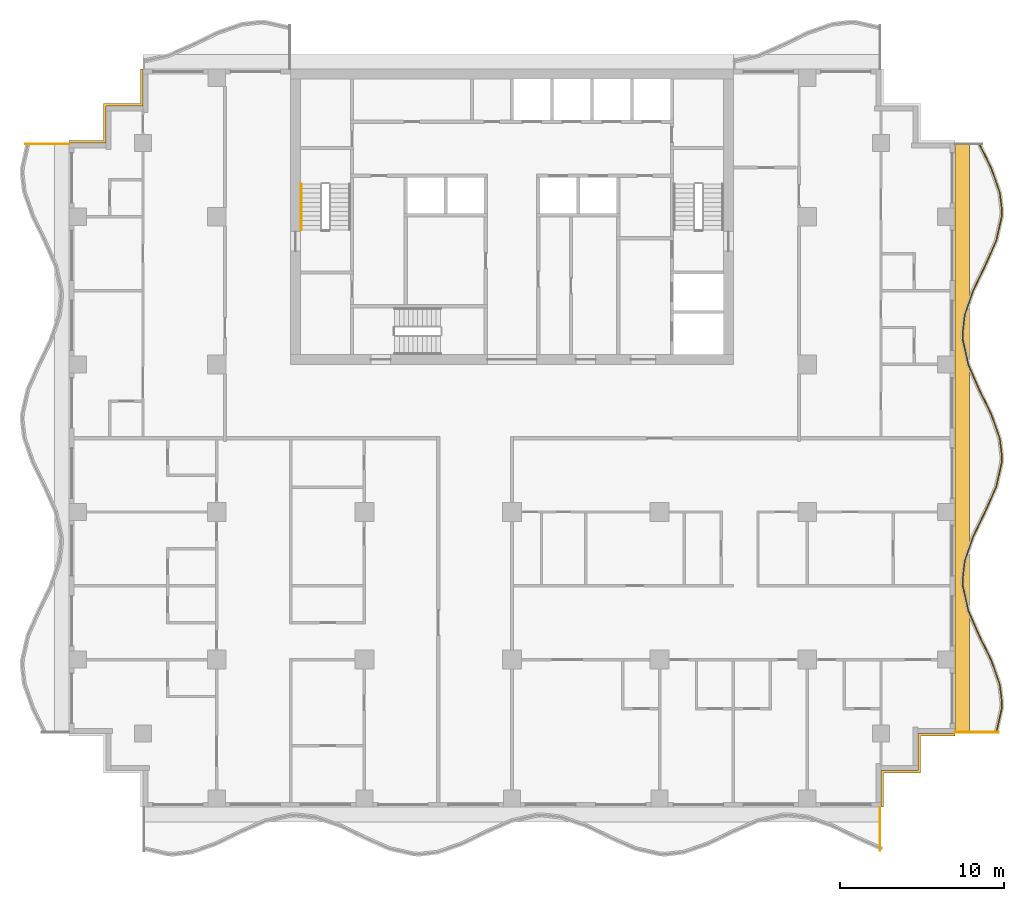
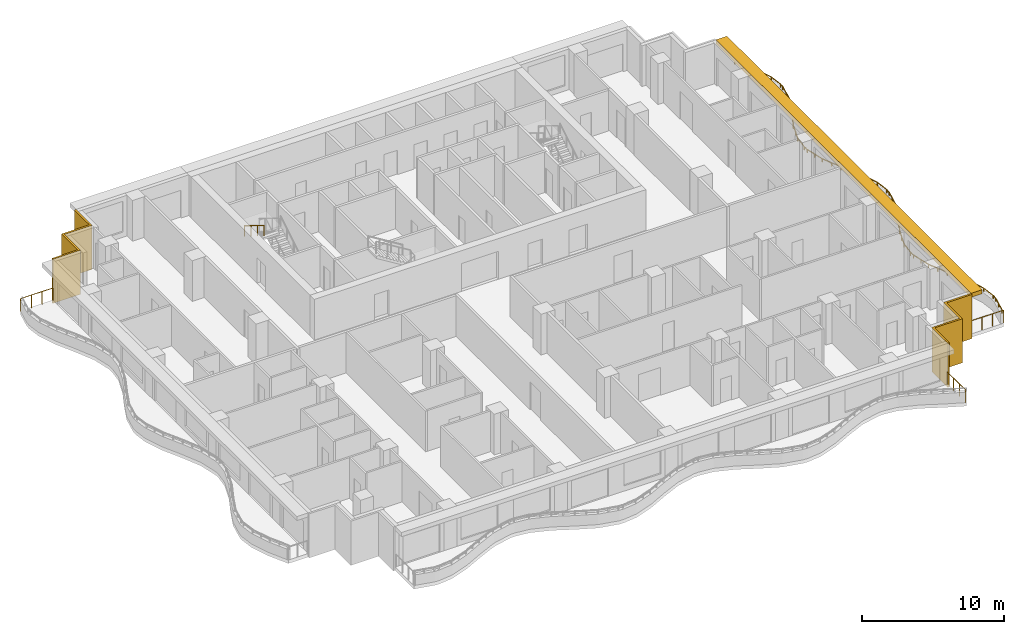
# One storey, part 10 of 11: 5 railings, 3 shading devices.
"""IFC4 building model written with IfcOpenShell, lengths in metres."""

from ifc_helpers import new_model, si_unit, direction, frame, origin, origin_2d, place, context, subcontext, project, spatial, polyline, rectangle, circle, outline, extrude, material, layer, layer_set, type_object, element, save


model = new_model("IFC4")

# Units and contexts
model_context = context("Model", 3, precision=1e-05, world=origin(), true_north=direction((0.0, 1.0)))
body_context = subcontext(model_context, "Body", "Model", "MODEL_VIEW")
ifc_project = project(units=[si_unit("LENGTHUNIT", "METRE"), si_unit("AREAUNIT", "SQUARE_METRE"), si_unit("VOLUMEUNIT", "CUBIC_METRE"), si_unit("PLANEANGLEUNIT", "RADIAN"), si_unit("MASSUNIT", "GRAM", prefix="KILO")], contexts=[model_context])

# Site, building, storey
site_placement = place(None, origin())
site = spatial("IfcSite", under=ifc_project, at=site_placement, CompositionType="ELEMENT")
building_placement = place(site_placement, origin())
building = spatial("IfcBuilding", under=site, at=building_placement, Name="Orbiselva Terraces", CompositionType="ELEMENT")
storey_placement = place(building_placement, frame((0.0, 0.0, 184.4)))
storey = spatial("IfcBuildingStorey", under=building, at=storey_placement, Name="L46", CompositionType="ELEMENT", Elevation=184.4)

# Railings
ifc_material_1 = material(Name="Stainless steel", Category="steel")
railing_type_1 = type_object("IfcRailingType", Name="CORE-HANDRAIL-900", PredefinedType="HANDRAIL", material=ifc_material_1)
railing_1_placement = place(storey_placement, frame((-12.85, 15.5, 2.072727)))
element("IfcRailing", 1, at=railing_1_placement, inside=storey, type_object=railing_type_1, Name="L46 S1 stair handrail 2", PredefinedType="HANDRAIL", context=body_context, shape_type="SweptSolid", body=[
    extrude(circle(Radius=0.024, at=origin_2d()), frame((0.0, 0.0, 0.876), z_axis=(0.0, -0.851088519012, 0.52502222125), x_axis=(1.0, 0.0, 0.0)), (0.0, 0.0, 1.0), 3.289905),
    extrude(circle(Radius=0.021, at=origin_2d()), origin(), (0.0, 0.0, 1.0), 0.852),
    extrude(circle(Radius=0.021, at=origin_2d()), frame((0.0, -0.933333, 0.575758)), (0.0, 0.0, 1.0), 0.852),
    extrude(circle(Radius=0.021, at=origin_2d()), frame((0.0, -1.866667, 1.151515)), (0.0, 0.0, 1.0), 0.852),
    extrude(circle(Radius=0.021, at=origin_2d()), frame((0.0, -2.8, 1.727273)), (0.0, 0.0, 1.0), 0.852),
])
ifc_material_2 = material(Name="Bonded two-ply safety glass balustrade, stainless steel posts", Category="steel")
railing_type_2 = type_object("IfcRailingType", Name="ENV-BALUSTRADE-1200", PredefinedType="BALUSTRADE", material=ifc_material_2)
railing_2_placement = place(storey_placement, frame((29.526563, -17.972623, 0.9)))
element("IfcRailing", 2, at=railing_2_placement, inside=storey, type_object=railing_type_2, Name="Balcony balustrade L46 E", PredefinedType="BALUSTRADE", context=body_context, shape_type="SweptSolid", body=[
    extrude(outline(polyline([(0.028868, 0.0), (0.014434, 0.025), (-0.014434, 0.025), (-0.028868, 0.0), (-0.014434, -0.025), (0.014434, -0.025), (0.028868, 0.0)])), frame((0.0, 0.0, 0.275), z_axis=(0.21901575501, 0.975721322437, 0.0), x_axis=(-0.975721322437, 0.21901575501, 0.0)), (0.0, 0.0, 1.0), 1.525954),
    extrude(outline(polyline([(0.028868, 0.0), (0.014434, 0.025), (-0.014434, 0.025), (-0.028868, 0.0), (-0.014434, -0.025), (0.014434, -0.025), (0.028868, 0.0)])), frame((0.334208, 1.488906, 0.275), z_axis=(0.039364150694, 0.999224931454, 0.0), x_axis=(-0.999224931454, 0.039364150694, 0.0)), (0.0, 0.0, 1.0), 0.354206),
    extrude(outline(polyline([(0.028868, 0.0), (0.014434, 0.025), (-0.014434, 0.025), (-0.028868, 0.0), (-0.014434, -0.025), (0.014434, -0.025), (0.028868, 0.0)])), frame((0.348151, 1.842837, 0.275), z_axis=(-0.115481264762, 0.993309658409, 0.0), x_axis=(-0.993309658409, -0.115481264762, 0.0)), (0.0, 0.0, 1.0), 1.10902),
    extrude(outline(polyline([(0.028868, 0.0), (0.014434, 0.025), (-0.014434, 0.025), (-0.028868, 0.0), (-0.014434, -0.025), (0.014434, -0.025), (0.028868, 0.0)])), frame((0.22008, 2.944437, 0.275), z_axis=(-0.330024754707, 0.943972277814, 0.0), x_axis=(-0.943972277814, -0.330024754707, 0.0)), (0.0, 0.0, 1.0), 1.567807),
    extrude(outline(polyline([(0.028868, 0.0), (0.014434, 0.025), (-0.014434, 0.025), (-0.028868, 0.0), (-0.014434, -0.025), (0.014434, -0.025), (0.028868, 0.0)])), frame((-0.297335, 4.424403, 0.275), z_axis=(-0.438811978768, 0.89857890432, 0.0), x_axis=(-0.89857890432, -0.438811978768, 0.0)), (0.0, 0.0, 1.0), 1.66438),
    extrude(outline(polyline([(0.028868, 0.0), (0.014434, 0.025), (-0.014434, 0.025), (-0.028868, 0.0), (-0.014434, -0.025), (0.014434, -0.025), (0.028868, 0.0)])), frame((-1.027685, 5.91998, 0.275), z_axis=(-0.403150874148, 0.915133527237, 0.0), x_axis=(-0.915133527237, -0.403150874148, 0.0)), (0.0, 0.0, 1.0), 1.653736),
    extrude(outline(polyline([(0.028868, 0.0), (0.014434, 0.025), (-0.014434, 0.025), (-0.028868, 0.0), (-0.014434, -0.025), (0.014434, -0.025), (0.028868, 0.0)])), frame((-1.69439, 7.433369, 0.275), z_axis=(-0.219015500924, 0.97572137947, 0.0), x_axis=(-0.97572137947, -0.219015500924, 0.0)), (0.0, 0.0, 1.0), 1.560867),
    extrude(outline(polyline([(0.028868, 0.0), (0.014434, 0.025), (-0.014434, 0.025), (-0.028868, 0.0), (-0.014434, -0.025), (0.014434, -0.025), (0.028868, 0.0)])), frame((-2.036244, 8.95634, 0.275), z_axis=(-0.03936915532, 0.999224734286, 0.0), x_axis=(-0.999224734286, -0.03936915532, 0.0)), (0.0, 0.0, 1.0), 0.396376),
    extrude(outline(polyline([(0.028868, 0.0), (0.014434, 0.025), (-0.014434, 0.025), (-0.028868, 0.0), (-0.014434, -0.025), (0.014434, -0.025), (0.028868, 0.0)])), frame((-2.051849, 9.352409, 0.275), z_axis=(0.115482182324, 0.993309551734, 0.0), x_axis=(-0.993309551734, 0.115482182324, 0.0)), (0.0, 0.0, 1.0), 1.156135),
    extrude(outline(polyline([(0.028868, 0.0), (0.014434, 0.025), (-0.014434, 0.025), (-0.028868, 0.0), (-0.014434, -0.025), (0.014434, -0.025), (0.028868, 0.0)])), frame((-1.918336, 10.500809, 0.275), z_axis=(0.330024597479, 0.943972332783, 0.0), x_axis=(-0.943972332783, 0.330024597479, 0.0)), (0.0, 0.0, 1.0), 1.610253),
    extrude(outline(polyline([(0.028868, 0.0), (0.014434, 0.025), (-0.014434, 0.025), (-0.028868, 0.0), (-0.014434, -0.025), (0.014434, -0.025), (0.028868, 0.0)])), frame((-1.386913, 12.020843, 0.275), z_axis=(0.438812048596, 0.898578870221, 0.0), x_axis=(-0.898578870221, 0.438812048596, 0.0)), (0.0, 0.0, 1.0), 1.674225),
    extrude(outline(polyline([(0.028868, 0.0), (0.014434, 0.025), (-0.014434, 0.025), (-0.028868, 0.0), (-0.014434, -0.025), (0.014434, -0.025), (0.028868, 0.0)])), frame((-0.652243, 13.525266, 0.275), z_axis=(0.403151245402, 0.915133363686, 0.0), x_axis=(-0.915133363686, 0.403151245402, 0.0)), (0.0, 0.0, 1.0), 1.624475),
    extrude(outline(polyline([(0.028868, 0.0), (0.014434, 0.025), (-0.014434, 0.025), (-0.028868, 0.0), (-0.014434, -0.025), (0.014434, -0.025), (0.028868, 0.0)])), frame((0.002666, 15.011877, 0.275), z_axis=(0.219015740235, 0.975721325753, 0.0), x_axis=(-0.975721325753, 0.219015740235, 0.0)), (0.0, 0.0, 1.0), 1.513782),
    extrude(outline(polyline([(0.028868, 0.0), (0.014434, 0.025), (-0.014434, 0.025), (-0.028868, 0.0), (-0.014434, -0.025), (0.014434, -0.025), (0.028868, 0.0)])), frame((0.334208, 16.488906, 0.275), z_axis=(0.039364150694, 0.999224931454, 0.0), x_axis=(-0.999224931454, 0.039364150694, 0.0)), (0.0, 0.0, 1.0), 0.354206),
    extrude(outline(polyline([(0.028868, 0.0), (0.014434, 0.025), (-0.014434, 0.025), (-0.028868, 0.0), (-0.014434, -0.025), (0.014434, -0.025), (0.028868, 0.0)])), frame((0.348151, 16.842837, 0.275), z_axis=(-0.115481264762, 0.993309658409, 0.0), x_axis=(-0.993309658409, -0.115481264762, 0.0)), (0.0, 0.0, 1.0), 1.10902),
    extrude(outline(polyline([(0.028868, 0.0), (0.014434, 0.025), (-0.014434, 0.025), (-0.028868, 0.0), (-0.014434, -0.025), (0.014434, -0.025), (0.028868, 0.0)])), frame((0.22008, 17.944437, 0.275), z_axis=(-0.330024754707, 0.943972277814, 0.0), x_axis=(-0.943972277814, -0.330024754707, 0.0)), (0.0, 0.0, 1.0), 1.567807),
    extrude(outline(polyline([(0.028868, 0.0), (0.014434, 0.025), (-0.014434, 0.025), (-0.028868, 0.0), (-0.014434, -0.025), (0.014434, -0.025), (0.028868, 0.0)])), frame((-0.297335, 19.424403, 0.275), z_axis=(-0.438811978768, 0.89857890432, 0.0), x_axis=(-0.89857890432, -0.438811978768, 0.0)), (0.0, 0.0, 1.0), 1.66438),
    extrude(outline(polyline([(0.028868, 0.0), (0.014434, 0.025), (-0.014434, 0.025), (-0.028868, 0.0), (-0.014434, -0.025), (0.014434, -0.025), (0.028868, 0.0)])), frame((-1.027685, 20.91998, 0.275), z_axis=(-0.403150874148, 0.915133527237, 0.0), x_axis=(-0.915133527237, -0.403150874148, 0.0)), (0.0, 0.0, 1.0), 1.653736),
    extrude(outline(polyline([(0.028868, 0.0), (0.014434, 0.025), (-0.014434, 0.025), (-0.028868, 0.0), (-0.014434, -0.025), (0.014434, -0.025), (0.028868, 0.0)])), frame((-1.69439, 22.433369, 0.275), z_axis=(-0.219015500924, 0.97572137947, 0.0), x_axis=(-0.97572137947, -0.219015500924, 0.0)), (0.0, 0.0, 1.0), 1.560867),
    extrude(outline(polyline([(0.028868, 0.0), (0.014434, 0.025), (-0.014434, 0.025), (-0.028868, 0.0), (-0.014434, -0.025), (0.014434, -0.025), (0.028868, 0.0)])), frame((-2.036244, 23.95634, 0.275), z_axis=(-0.03936915532, 0.999224734286, 0.0), x_axis=(-0.999224734286, -0.03936915532, 0.0)), (0.0, 0.0, 1.0), 0.396376),
    extrude(outline(polyline([(0.028868, 0.0), (0.014434, 0.025), (-0.014434, 0.025), (-0.028868, 0.0), (-0.014434, -0.025), (0.014434, -0.025), (0.028868, 0.0)])), frame((-2.051849, 24.352409, 0.275), z_axis=(0.115482182324, 0.993309551734, 0.0), x_axis=(-0.993309551734, 0.115482182324, 0.0)), (0.0, 0.0, 1.0), 1.156135),
    extrude(outline(polyline([(0.028868, 0.0), (0.014434, 0.025), (-0.014434, 0.025), (-0.028868, 0.0), (-0.014434, -0.025), (0.014434, -0.025), (0.028868, 0.0)])), frame((-1.918336, 25.500809, 0.275), z_axis=(0.330024597479, 0.943972332783, 0.0), x_axis=(-0.943972332783, 0.330024597479, 0.0)), (0.0, 0.0, 1.0), 1.610253),
    extrude(outline(polyline([(0.028868, 0.0), (0.014434, 0.025), (-0.014434, 0.025), (-0.028868, 0.0), (-0.014434, -0.025), (0.014434, -0.025), (0.028868, 0.0)])), frame((-1.386913, 27.020843, 0.275), z_axis=(0.438812048596, 0.898578870221, 0.0), x_axis=(-0.898578870221, 0.438812048596, 0.0)), (0.0, 0.0, 1.0), 1.674225),
    extrude(outline(polyline([(0.028868, 0.0), (0.014434, 0.025), (-0.014434, 0.025), (-0.028868, 0.0), (-0.014434, -0.025), (0.014434, -0.025), (0.028868, 0.0)])), frame((-0.652243, 28.525266, 0.275), z_axis=(0.403151245402, 0.915133363686, 0.0), x_axis=(-0.915133363686, 0.403151245402, 0.0)), (0.0, 0.0, 1.0), 1.624475),
    extrude(outline(polyline([(0.028868, 0.0), (0.014434, 0.025), (-0.014434, 0.025), (-0.028868, 0.0), (-0.014434, -0.025), (0.014434, -0.025), (0.028868, 0.0)])), frame((0.002666, 30.011877, 0.275), z_axis=(0.219015740235, 0.975721325753, 0.0), x_axis=(-0.975721325753, 0.219015740235, 0.0)), (0.0, 0.0, 1.0), 1.513782),
    extrude(outline(polyline([(0.028868, 0.0), (0.014434, 0.025), (-0.014434, 0.025), (-0.028868, 0.0), (-0.014434, -0.025), (0.014434, -0.025), (0.028868, 0.0)])), frame((0.334208, 31.488906, 0.275), z_axis=(0.039364150694, 0.999224931454, 0.0), x_axis=(-0.999224931454, 0.039364150694, 0.0)), (0.0, 0.0, 1.0), 0.354206),
    extrude(outline(polyline([(0.028868, 0.0), (0.014434, 0.025), (-0.014434, 0.025), (-0.028868, 0.0), (-0.014434, -0.025), (0.014434, -0.025), (0.028868, 0.0)])), frame((0.348151, 31.842837, 0.275), z_axis=(-0.115481264762, 0.993309658409, 0.0), x_axis=(-0.993309658409, -0.115481264762, 0.0)), (0.0, 0.0, 1.0), 1.10902),
    extrude(outline(polyline([(0.028868, 0.0), (0.014434, 0.025), (-0.014434, 0.025), (-0.028868, 0.0), (-0.014434, -0.025), (0.014434, -0.025), (0.028868, 0.0)])), frame((0.22008, 32.944437, 0.275), z_axis=(-0.330024754707, 0.943972277814, 0.0), x_axis=(-0.943972277814, -0.330024754707, 0.0)), (0.0, 0.0, 1.0), 1.567807),
    extrude(outline(polyline([(0.028868, 0.0), (0.014434, 0.025), (-0.014434, 0.025), (-0.028868, 0.0), (-0.014434, -0.025), (0.014434, -0.025), (0.028868, 0.0)])), frame((-0.297335, 34.424403, 0.275), z_axis=(-0.438811853882, 0.898578965307, 0.0), x_axis=(-0.898578965307, -0.438811853882, 0.0)), (0.0, 0.0, 1.0), 1.661922),
    extrude(rectangle(XDim=0.05, YDim=0.05, at=origin_2d()), origin(), (0.0, 0.0, 1.0), 0.25),
    extrude(rectangle(XDim=0.05, YDim=0.05, at=origin_2d()), frame((0.167104, 0.744453, 0.0)), (0.0, 0.0, 1.0), 0.25),
    extrude(rectangle(XDim=0.05, YDim=0.05, at=origin_2d()), frame((0.334208, 1.488906, 0.0)), (0.0, 0.0, 1.0), 0.25),
    extrude(rectangle(XDim=0.05, YDim=0.05, at=origin_2d()), frame((0.348151, 1.842837, 0.0)), (0.0, 0.0, 1.0), 0.25),
    extrude(rectangle(XDim=0.05, YDim=0.05, at=origin_2d()), frame((0.22008, 2.944437, 0.0)), (0.0, 0.0, 1.0), 0.25),
    extrude(rectangle(XDim=0.05, YDim=0.05, at=origin_2d()), frame((-0.038628, 3.68442, 0.0)), (0.0, 0.0, 1.0), 0.25),
    extrude(rectangle(XDim=0.05, YDim=0.05, at=origin_2d()), frame((-0.297335, 4.424403, 0.0)), (0.0, 0.0, 1.0), 0.25),
    extrude(rectangle(XDim=0.05, YDim=0.05, at=origin_2d()), frame((-0.66251, 5.172191, 0.0)), (0.0, 0.0, 1.0), 0.25),
    extrude(rectangle(XDim=0.05, YDim=0.05, at=origin_2d()), frame((-1.027685, 5.91998, 0.0)), (0.0, 0.0, 1.0), 0.25),
    extrude(rectangle(XDim=0.05, YDim=0.05, at=origin_2d()), frame((-1.361037, 6.676674, 0.0)), (0.0, 0.0, 1.0), 0.25),
    extrude(rectangle(XDim=0.05, YDim=0.05, at=origin_2d()), frame((-1.69439, 7.433369, 0.0)), (0.0, 0.0, 1.0), 0.25),
    extrude(rectangle(XDim=0.05, YDim=0.05, at=origin_2d()), frame((-1.865317, 8.194854, 0.0)), (0.0, 0.0, 1.0), 0.25),
    extrude(rectangle(XDim=0.05, YDim=0.05, at=origin_2d()), frame((-2.036244, 8.95634, 0.0)), (0.0, 0.0, 1.0), 0.25),
    extrude(rectangle(XDim=0.05, YDim=0.05, at=origin_2d()), frame((-2.051849, 9.352409, 0.0)), (0.0, 0.0, 1.0), 0.25),
    extrude(rectangle(XDim=0.05, YDim=0.05, at=origin_2d()), frame((-1.918336, 10.500809, 0.0)), (0.0, 0.0, 1.0), 0.25),
    extrude(rectangle(XDim=0.05, YDim=0.05, at=origin_2d()), frame((-1.652624, 11.260826, 0.0)), (0.0, 0.0, 1.0), 0.25),
    extrude(rectangle(XDim=0.05, YDim=0.05, at=origin_2d()), frame((-1.386913, 12.020843, 0.0)), (0.0, 0.0, 1.0), 0.25),
    extrude(rectangle(XDim=0.05, YDim=0.05, at=origin_2d()), frame((-1.019578, 12.773054, 0.0)), (0.0, 0.0, 1.0), 0.25),
    extrude(rectangle(XDim=0.05, YDim=0.05, at=origin_2d()), frame((-0.652243, 13.525266, 0.0)), (0.0, 0.0, 1.0), 0.25),
    extrude(rectangle(XDim=0.05, YDim=0.05, at=origin_2d()), frame((-0.324788, 14.268571, 0.0)), (0.0, 0.0, 1.0), 0.25),
    extrude(rectangle(XDim=0.05, YDim=0.05, at=origin_2d()), frame((0.002666, 15.011877, 0.0)), (0.0, 0.0, 1.0), 0.25),
    extrude(rectangle(XDim=0.05, YDim=0.05, at=origin_2d()), frame((0.168437, 15.750392, 0.0)), (0.0, 0.0, 1.0), 0.25),
    extrude(rectangle(XDim=0.05, YDim=0.05, at=origin_2d()), frame((0.334208, 16.488906, 0.0)), (0.0, 0.0, 1.0), 0.25),
    extrude(rectangle(XDim=0.05, YDim=0.05, at=origin_2d()), frame((0.348151, 16.842837, 0.0)), (0.0, 0.0, 1.0), 0.25),
    extrude(rectangle(XDim=0.05, YDim=0.05, at=origin_2d()), frame((0.22008, 17.944437, 0.0)), (0.0, 0.0, 1.0), 0.25),
    extrude(rectangle(XDim=0.05, YDim=0.05, at=origin_2d()), frame((-0.038628, 18.68442, 0.0)), (0.0, 0.0, 1.0), 0.25),
    extrude(rectangle(XDim=0.05, YDim=0.05, at=origin_2d()), frame((-0.297335, 19.424403, 0.0)), (0.0, 0.0, 1.0), 0.25),
    extrude(rectangle(XDim=0.05, YDim=0.05, at=origin_2d()), frame((-0.66251, 20.172191, 0.0)), (0.0, 0.0, 1.0), 0.25),
    extrude(rectangle(XDim=0.05, YDim=0.05, at=origin_2d()), frame((-1.027685, 20.91998, 0.0)), (0.0, 0.0, 1.0), 0.25),
    extrude(rectangle(XDim=0.05, YDim=0.05, at=origin_2d()), frame((-1.361037, 21.676674, 0.0)), (0.0, 0.0, 1.0), 0.25),
    extrude(rectangle(XDim=0.05, YDim=0.05, at=origin_2d()), frame((-1.69439, 22.433369, 0.0)), (0.0, 0.0, 1.0), 0.25),
    extrude(rectangle(XDim=0.05, YDim=0.05, at=origin_2d()), frame((-1.865317, 23.194854, 0.0)), (0.0, 0.0, 1.0), 0.25),
    extrude(rectangle(XDim=0.05, YDim=0.05, at=origin_2d()), frame((-2.036244, 23.95634, 0.0)), (0.0, 0.0, 1.0), 0.25),
    extrude(rectangle(XDim=0.05, YDim=0.05, at=origin_2d()), frame((-2.051849, 24.352409, 0.0)), (0.0, 0.0, 1.0), 0.25),
    extrude(rectangle(XDim=0.05, YDim=0.05, at=origin_2d()), frame((-1.918336, 25.500809, 0.0)), (0.0, 0.0, 1.0), 0.25),
    extrude(rectangle(XDim=0.05, YDim=0.05, at=origin_2d()), frame((-1.652624, 26.260826, 0.0)), (0.0, 0.0, 1.0), 0.25),
    extrude(rectangle(XDim=0.05, YDim=0.05, at=origin_2d()), frame((-1.386913, 27.020843, 0.0)), (0.0, 0.0, 1.0), 0.25),
    extrude(rectangle(XDim=0.05, YDim=0.05, at=origin_2d()), frame((-1.019578, 27.773054, 0.0)), (0.0, 0.0, 1.0), 0.25),
    extrude(rectangle(XDim=0.05, YDim=0.05, at=origin_2d()), frame((-0.652243, 28.525266, 0.0)), (0.0, 0.0, 1.0), 0.25),
    extrude(rectangle(XDim=0.05, YDim=0.05, at=origin_2d()), frame((-0.324788, 29.268572, 0.0)), (0.0, 0.0, 1.0), 0.25),
    extrude(rectangle(XDim=0.05, YDim=0.05, at=origin_2d()), frame((0.002666, 30.011877, 0.0)), (0.0, 0.0, 1.0), 0.25),
    extrude(rectangle(XDim=0.05, YDim=0.05, at=origin_2d()), frame((0.168437, 30.750392, 0.0)), (0.0, 0.0, 1.0), 0.25),
    extrude(rectangle(XDim=0.05, YDim=0.05, at=origin_2d()), frame((0.334208, 31.488906, 0.0)), (0.0, 0.0, 1.0), 0.25),
    extrude(rectangle(XDim=0.05, YDim=0.05, at=origin_2d()), frame((0.348151, 31.842837, 0.0)), (0.0, 0.0, 1.0), 0.25),
    extrude(rectangle(XDim=0.05, YDim=0.05, at=origin_2d()), frame((0.22008, 32.944437, 0.0)), (0.0, 0.0, 1.0), 0.25),
    extrude(rectangle(XDim=0.05, YDim=0.05, at=origin_2d()), frame((-0.038628, 33.68442, 0.0)), (0.0, 0.0, 1.0), 0.25),
    extrude(rectangle(XDim=0.05, YDim=0.05, at=origin_2d()), frame((-0.297335, 34.424403, 0.0)), (0.0, 0.0, 1.0), 0.25),
    extrude(rectangle(XDim=0.05, YDim=0.05, at=origin_2d()), frame((-0.661971, 35.171087, 0.0)), (0.0, 0.0, 1.0), 0.25),
    extrude(rectangle(XDim=0.05, YDim=0.05, at=origin_2d()), frame((-1.026606, 35.917771, 0.0)), (0.0, 0.0, 1.0), 0.25),
])
ifc_material_3 = material(Name="Stainless steel rail and posts", Category="steel")
railing_type_3 = type_object("IfcRailingType", Name="ENV-GUARD-1105", PredefinedType="BALUSTRADE", material=ifc_material_3)
railing_3_placement = place(storey_placement, frame((22.44, -25.126937, 0.0)))
element("IfcRailing", 3, at=railing_3_placement, inside=storey, type_object=railing_type_3, Name="Balcony end guard L46 S", PredefinedType="BALUSTRADE", context=body_context, shape_type="SweptSolid", body=[
    extrude(outline(polyline([(0.028868, 0.0), (0.014434, 0.025), (-0.014434, 0.025), (-0.028868, 0.0), (-0.014434, -0.025), (0.014434, -0.025), (0.028868, 0.0)])), frame((0.0, 0.0, 1.08), z_axis=(0.0, 1.0, 0.0), x_axis=(-1.0, 0.0, 0.0)), (0.0, 0.0, 1.0), 2.601937),
    extrude(rectangle(XDim=0.05, YDim=0.05, at=origin_2d()), origin(), (0.0, 0.0, 1.0), 1.055),
    extrude(rectangle(XDim=0.05, YDim=0.05, at=origin_2d()), frame((0.0, 0.867312, 0.0)), (0.0, 0.0, 1.0), 1.055),
    extrude(rectangle(XDim=0.05, YDim=0.05, at=origin_2d()), frame((0.0, 1.734625, 0.0)), (0.0, 0.0, 1.0), 1.055),
    extrude(rectangle(XDim=0.05, YDim=0.05, at=origin_2d()), frame((0.0, 2.601937, 0.0)), (0.0, 0.0, 1.0), 1.055),
])
railing_4_placement = place(storey_placement, frame((29.669584, -17.94, 0.0)))
element("IfcRailing", 4, at=railing_4_placement, inside=storey, type_object=railing_type_3, Name="Balcony end guard L46 E", PredefinedType="BALUSTRADE", context=body_context, shape_type="SweptSolid", body=[
    extrude(outline(polyline([(0.028868, 0.0), (0.014434, 0.025), (-0.014434, 0.025), (-0.028868, 0.0), (-0.014434, -0.025), (0.014434, -0.025), (0.028868, 0.0)])), frame((0.0, 0.0, 1.08), z_axis=(-1.0, 0.0, 0.0), x_axis=(0.0, -1.0, 0.0)), (0.0, 0.0, 1.0), 2.644584),
    extrude(rectangle(XDim=0.05, YDim=0.05, at=origin_2d()), origin(), (0.0, 0.0, 1.0), 1.055),
    extrude(rectangle(XDim=0.05, YDim=0.05, at=origin_2d()), frame((-0.881528, 0.0, 0.0)), (0.0, 0.0, 1.0), 1.055),
    extrude(rectangle(XDim=0.05, YDim=0.05, at=origin_2d()), frame((-1.763056, 0.0, 0.0)), (0.0, 0.0, 1.0), 1.055),
    extrude(rectangle(XDim=0.05, YDim=0.05, at=origin_2d()), frame((-2.644584, 0.0, 0.0)), (0.0, 0.0, 1.0), 1.055),
])
railing_5_placement = place(storey_placement, frame((-29.669584, 17.94, 0.0)))
element("IfcRailing", 5, at=railing_5_placement, inside=storey, type_object=railing_type_3, Name="Balcony end guard L46 W", PredefinedType="BALUSTRADE", context=body_context, shape_type="SweptSolid", body=[
    extrude(outline(polyline([(0.028868, 0.0), (0.014434, 0.025), (-0.014434, 0.025), (-0.028868, 0.0), (-0.014434, -0.025), (0.014434, -0.025), (0.028868, 0.0)])), frame((0.0, 0.0, 1.08), z_axis=(1.0, 0.0, 0.0), x_axis=(0.0, 1.0, 0.0)), (0.0, 0.0, 1.0), 2.644584),
    extrude(rectangle(XDim=0.05, YDim=0.05, at=origin_2d()), origin(), (0.0, 0.0, 1.0), 1.055),
    extrude(rectangle(XDim=0.05, YDim=0.05, at=origin_2d()), frame((0.881528, 0.0, 0.0)), (0.0, 0.0, 1.0), 1.055),
    extrude(rectangle(XDim=0.05, YDim=0.05, at=origin_2d()), frame((1.763056, 0.0, 0.0)), (0.0, 0.0, 1.0), 1.055),
    extrude(rectangle(XDim=0.05, YDim=0.05, at=origin_2d()), frame((2.644584, 0.0, 0.0)), (0.0, 0.0, 1.0), 1.055),
])

# Shading devices
ifc_material_4 = material(Name="Terracotta louvre screen", Category="masonry")
ifc_layer_1 = layer(ifc_material_4, 0.15)
ifc_layer_set_1 = layer_set([ifc_layer_1], Name="Terracotta louvre screen")
shading_device_type_1 = type_object("IfcShadingDeviceType", Name="ENV-SCREEN-150", PredefinedType="USERDEFINED", material=ifc_layer_set_1)
shading_device_1_placement = place(storey_placement, frame((0.0, 0.0, -0.3)))
element("IfcShadingDevice", 6, at=shading_device_1_placement, inside=storey, type_object=shading_device_type_1, Name="Louvre screen L46 NW", ObjectType="SCREEN", PredefinedType="USERDEFINED", context=body_context, shape_type="SweptSolid", body=[
    extrude(outline(polyline([(-22.65, 22.5), (-22.65, 20.4), (-24.9, 20.4), (-24.9, 18.15), (-27.0, 18.15), (-27.0, 18.0), (-24.75, 18.0), (-24.75, 20.25), (-22.5, 20.25), (-22.5, 22.5), (-22.65, 22.5)])), origin(), (0.0, 0.0, 1.0), 3.8),
])
shading_device_2_placement = place(storey_placement, frame((0.0, 0.0, -0.3)))
element("IfcShadingDevice", 7, at=shading_device_2_placement, inside=storey, type_object=shading_device_type_1, Name="Louvre screen L46 SE", ObjectType="SCREEN", PredefinedType="USERDEFINED", context=body_context, shape_type="SweptSolid", body=[
    extrude(outline(polyline([(22.65, -22.5), (22.65, -20.4), (24.9, -20.4), (24.9, -18.15), (27.0, -18.15), (27.0, -18.0), (24.75, -18.0), (24.75, -20.25), (22.5, -20.25), (22.5, -22.5), (22.65, -22.5)])), origin(), (0.0, 0.0, 1.0), 3.8),
])
ifc_material_5 = material(Name="Terracotta baguette sunshade", Category="masonry")
ifc_layer_2 = layer(ifc_material_5, 0.35)
ifc_layer_set_2 = layer_set([ifc_layer_2], Name="Terracotta baguette sunshade")
shading_device_type_2 = type_object("IfcShadingDeviceType", Name="ENV-SUNSHADE-900x350", PredefinedType="USERDEFINED", material=ifc_layer_set_2)
shading_device_3_placement = place(storey_placement, frame((0.0, 0.0, 3.15)))
element("IfcShadingDevice", 8, at=shading_device_3_placement, inside=storey, type_object=shading_device_type_2, Name="Sunshade band L46 E", ObjectType="SUNSHADE", PredefinedType="USERDEFINED", context=body_context, shape_type="SweptSolid", body=[
    extrude(outline(polyline([(27.9, -18.0), (27.9, 18.0), (27.0, 18.0), (27.0, -18.0), (27.9, -18.0)])), origin(), (0.0, 0.0, 1.0), 0.35),
])

save(model, "model.ifc")
